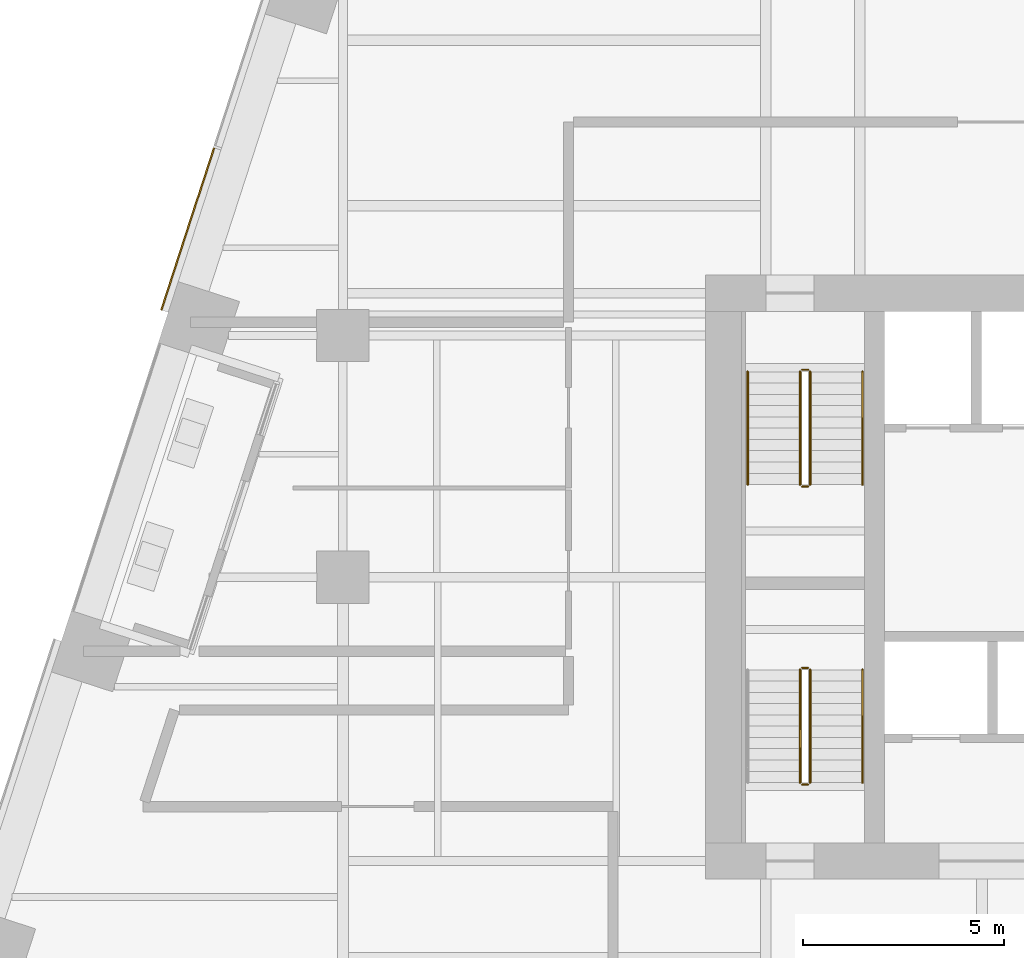
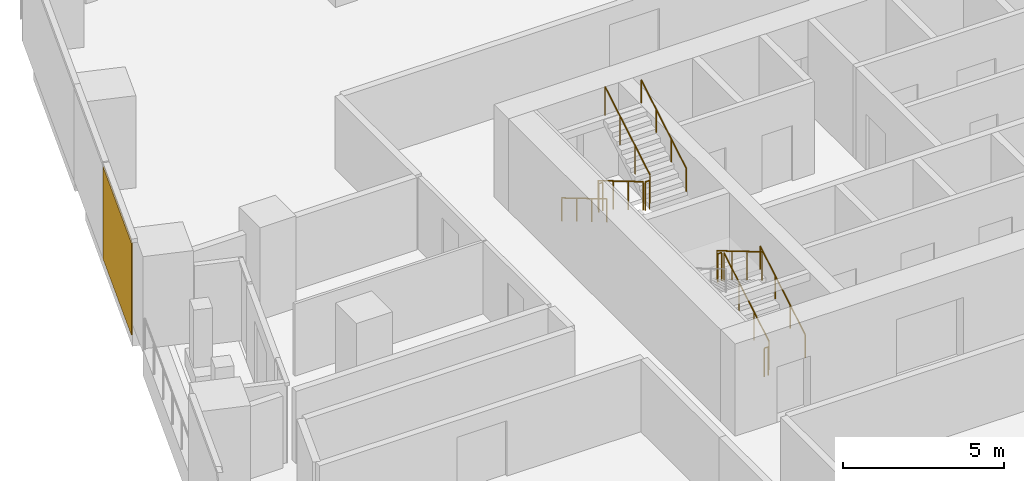
# One storey, part 25 of 28: 11 railings, 1 covering, 1 element without a shape of its own.
"""IFC4 building model written with IfcOpenShell, lengths in metres."""

from ifc_helpers import new_model, si_unit, direction, frame, origin, origin_2d, place, context, subcontext, project, spatial, rectangle, circle, extrude, material, layer, layer_set, type_object, element, aggregate, save


model = new_model("IFC4")

# Units and contexts
model_context = context("Model", 3, precision=1e-05, world=origin(), true_north=direction((0.0, 1.0)))
body_context = subcontext(model_context, "Body", "Model", "MODEL_VIEW")
ifc_project = project(units=[si_unit("LENGTHUNIT", "METRE"), si_unit("AREAUNIT", "SQUARE_METRE"), si_unit("VOLUMEUNIT", "CUBIC_METRE"), si_unit("PLANEANGLEUNIT", "RADIAN"), si_unit("MASSUNIT", "GRAM", prefix="KILO")], contexts=[model_context])

# Site, building, storey
site_placement = place(None, origin())
site = spatial("IfcSite", under=ifc_project, at=site_placement, CompositionType="ELEMENT")
building_placement = place(site_placement, origin())
building = spatial("IfcBuilding", under=site, at=building_placement, Name="Isthmus Gate Tower", CompositionType="ELEMENT")
storey_placement = place(building_placement, frame((0.0, 0.0, 84.300048828125)))
storey = spatial("IfcBuildingStorey", under=building, at=storey_placement, Name="L19", CompositionType="ELEMENT", Elevation=84.300048828125)

# Curtain wall, covering
ifc_material_1 = material(Name="Aluminium, pale champagne anodised", Category="aluminium")
ifc_layer_1 = layer(ifc_material_1, 0.199951171875)
ifc_layer_set_1 = layer_set([ifc_layer_1], Name="CW-1 UNITISED CURTAIN WALL 200 DEEP")
curtain_wall_type = type_object("IfcCurtainWallType", Name="CW-1 UNITISED CURTAIN WALL 200 DEEP", PredefinedType="NOTDEFINED", material=ifc_layer_set_1)
curtain_wall_placement = place(storey_placement, origin())
curtain_wall = element("IfcCurtainWall", 1, at=curtain_wall_placement, inside=storey, type_object=curtain_wall_type, Name="CW-1 NW L19", PredefinedType="NOTDEFINED")
ifc_material_2 = material(Name="Aluminium composite panel, pale champagne anodised", Category="aluminium")
ifc_layer_2 = layer(ifc_material_2, 0.0400390625)
ifc_layer_set_2 = layer_set([ifc_layer_2], Name="CW-1 PALE METAL PANEL 40")
covering_type = type_object("IfcCoveringType", Name="CW-1 PALE METAL PANEL 40", PredefinedType="CLADDING", material=ifc_layer_set_2)
covering_placement = place(storey_placement, frame((-27.8544921875, 16.146484375, 0.0), z_axis=(0.0, 0.0, 1.0), x_axis=(-0.309016994375, -0.951056516295, 0.0)))
covering = element("IfcCovering", 2, at=covering_placement, type_object=covering_type, Name="CW-1 pale metal panel", PredefinedType="CLADDING", context=body_context, shape_type="SweptSolid", body=[
    extrude(rectangle(XDim=4.234619140625, YDim=0.0400390625, at=origin_2d()), origin(), (0.0, 0.0, 1.0), 3.5),
])
aggregate(curtain_wall, [covering])

# Railings
ifc_material_3 = material(Name="Stainless steel balustrade", Category="steel")
railing_type_1 = type_object("IfcRailingType", Name="STAIR GUARD 1100", PredefinedType="GUARDRAIL", material=ifc_material_3)
railing_1_placement = place(storey_placement, frame((-12.64990234375, 12.60009765625, 0.165771484375)))
element("IfcRailing", 3, at=railing_1_placement, inside=storey, type_object=railing_type_1, Name="L19 ST1 stair guard 1", PredefinedType="GUARDRAIL", context=body_context, shape_type="SweptSolid", body=[
    extrude(circle(Radius=0.02392578125, at=origin_2d()), frame((0.0, 0.0, 1.076171875), z_axis=(0.0, -0.860306154799, 0.50977771628), x_axis=(1.0, 0.0, 0.0)), (0.0, 0.0, 1.0), 3.254638671875),
    extrude(circle(Radius=0.02099609375, at=origin_2d()), origin(), (0.0, 0.0, 1.0), 1.052001953125),
    extrude(circle(Radius=0.02099609375, at=origin_2d()), frame((0.0, -0.933349609375, 0.552978515625)), (0.0, 0.0, 1.0), 1.052001953125),
    extrude(circle(Radius=0.02099609375, at=origin_2d()), frame((0.0, -1.86669921875, 1.106201171875)), (0.0, 0.0, 1.0), 1.052001953125),
    extrude(circle(Radius=0.02099609375, at=origin_2d()), frame((0.0, -2.800048828125, 1.6591796875)), (0.0, 0.0, 1.0), 1.052001953125),
])
railing_2_placement = place(storey_placement, frame((-12.60009765625, 9.75, 1.824951171875)))
element("IfcRailing", 4, at=railing_2_placement, inside=storey, type_object=railing_type_1, Name="L19 ST1 stair guard 2", PredefinedType="GUARDRAIL", context=body_context, shape_type="SweptSolid", body=[
    extrude(circle(Radius=0.02392578125, at=origin_2d()), frame((0.0, 0.0, 1.076171875), z_axis=(1.0, 0.0, 0.0), x_axis=(0.0, 1.0, 0.0)), (0.0, 0.0, 1.0), 0.150146484375),
    extrude(circle(Radius=0.02099609375, at=origin_2d()), origin(), (0.0, 0.0, 1.0), 1.052001953125),
    extrude(circle(Radius=0.02099609375, at=origin_2d()), frame((0.150146484375, 0.0, 0.0)), (0.0, 0.0, 1.0), 1.052001953125),
])
railing_3_placement = place(storey_placement, frame((-12.39990234375, 9.800048828125, 1.990966796875)))
element("IfcRailing", 5, at=railing_3_placement, inside=storey, type_object=railing_type_1, Name="L19 ST1 stair guard 3", PredefinedType="GUARDRAIL", context=body_context, shape_type="SweptSolid", body=[
    extrude(circle(Radius=0.02392578125, at=origin_2d()), frame((0.0, 0.0, 1.076171875), z_axis=(0.0, 0.860339051648, 0.50972219513), x_axis=(-1.0, 0.0, 0.0)), (0.0, 0.0, 1.0), 3.254638671875),
    extrude(circle(Radius=0.02099609375, at=origin_2d()), origin(), (0.0, 0.0, 1.0), 1.052001953125),
    extrude(circle(Radius=0.02099609375, at=origin_2d()), frame((0.0, 0.933349609375, 0.552978515625)), (0.0, 0.0, 1.0), 1.052001953125),
    extrude(circle(Radius=0.02099609375, at=origin_2d()), frame((0.0, 1.86669921875, 1.10595703125)), (0.0, 0.0, 1.0), 1.052001953125),
    extrude(circle(Radius=0.02099609375, at=origin_2d()), frame((0.0, 2.800048828125, 1.658935546875)), (0.0, 0.0, 1.0), 1.052001953125),
])
railing_4_placement = place(storey_placement, frame((-12.60009765625, 12.64990234375, 0.0)))
element("IfcRailing", 6, at=railing_4_placement, inside=storey, type_object=railing_type_1, Name="L19 ST1 stair guard 4", PredefinedType="GUARDRAIL", context=body_context, shape_type="SweptSolid", body=[
    extrude(circle(Radius=0.02392578125, at=origin_2d()), frame((0.0, 0.0, 1.076171875), z_axis=(1.0, 0.0, 0.0), x_axis=(0.0, 1.0, 0.0)), (0.0, 0.0, 1.0), 0.150146484375),
    extrude(circle(Radius=0.02099609375, at=origin_2d()), origin(), (0.0, 0.0, 1.0), 1.052001953125),
    extrude(circle(Radius=0.02099609375, at=origin_2d()), frame((0.150146484375, 0.0, 0.0)), (0.0, 0.0, 1.0), 1.052001953125),
])
railing_5_placement = place(storey_placement, frame((-12.39990234375, 2.39990234375, 0.165771484375)))
element("IfcRailing", 7, at=railing_5_placement, inside=storey, type_object=railing_type_1, Name="L19 ST7 stair guard 1", PredefinedType="GUARDRAIL", context=body_context, shape_type="SweptSolid", body=[
    extrude(circle(Radius=0.02392578125, at=origin_2d()), frame((0.0, 0.0, 1.076171875), z_axis=(0.0, 0.860306154799, 0.50977771628), x_axis=(-1.0, 0.0, 0.0)), (0.0, 0.0, 1.0), 3.254638671875),
    extrude(circle(Radius=0.02099609375, at=origin_2d()), origin(), (0.0, 0.0, 1.0), 1.052001953125),
    extrude(circle(Radius=0.02099609375, at=origin_2d()), frame((0.0, 0.933349609375, 0.552978515625)), (0.0, 0.0, 1.0), 1.052001953125),
    extrude(circle(Radius=0.02099609375, at=origin_2d()), frame((0.0, 1.86669921875, 1.106201171875)), (0.0, 0.0, 1.0), 1.052001953125),
    extrude(circle(Radius=0.02099609375, at=origin_2d()), frame((0.0, 2.800048828125, 1.6591796875)), (0.0, 0.0, 1.0), 1.052001953125),
])
railing_6_placement = place(storey_placement, frame((-12.449951171875, 5.25, 1.824951171875)))
element("IfcRailing", 8, at=railing_6_placement, inside=storey, type_object=railing_type_1, Name="L19 ST7 stair guard 2", PredefinedType="GUARDRAIL", context=body_context, shape_type="SweptSolid", body=[
    extrude(circle(Radius=0.02392578125, at=origin_2d()), frame((0.0, 0.0, 1.076171875), z_axis=(-1.0, 0.0, 0.0), x_axis=(0.0, -1.0, 0.0)), (0.0, 0.0, 1.0), 0.150146484375),
    extrude(circle(Radius=0.02099609375, at=origin_2d()), origin(), (0.0, 0.0, 1.0), 1.052001953125),
    extrude(circle(Radius=0.02099609375, at=origin_2d()), frame((-0.150146484375, 0.0, 0.0)), (0.0, 0.0, 1.0), 1.052001953125),
])
railing_7_placement = place(storey_placement, frame((-12.64990234375, 5.199951171875, 1.990966796875)))
element("IfcRailing", 9, at=railing_7_placement, inside=storey, type_object=railing_type_1, Name="L19 ST7 stair guard 3", PredefinedType="GUARDRAIL", context=body_context, shape_type="SweptSolid", body=[
    extrude(circle(Radius=0.02392578125, at=origin_2d()), frame((0.0, 0.0, 1.076171875), z_axis=(0.0, -0.860339051648, 0.50972219513), x_axis=(1.0, 0.0, 0.0)), (0.0, 0.0, 1.0), 3.254638671875),
    extrude(circle(Radius=0.02099609375, at=origin_2d()), origin(), (0.0, 0.0, 1.0), 1.052001953125),
    extrude(circle(Radius=0.02099609375, at=origin_2d()), frame((0.0, -0.933349609375, 0.552978515625)), (0.0, 0.0, 1.0), 1.052001953125),
    extrude(circle(Radius=0.02099609375, at=origin_2d()), frame((0.0, -1.86669921875, 1.10595703125)), (0.0, 0.0, 1.0), 1.052001953125),
    extrude(circle(Radius=0.02099609375, at=origin_2d()), frame((0.0, -2.800048828125, 1.658935546875)), (0.0, 0.0, 1.0), 1.052001953125),
])
railing_8_placement = place(storey_placement, frame((-12.449951171875, 2.35009765625, 0.0)))
element("IfcRailing", 10, at=railing_8_placement, inside=storey, type_object=railing_type_1, Name="L19 ST7 stair guard 4", PredefinedType="GUARDRAIL", context=body_context, shape_type="SweptSolid", body=[
    extrude(circle(Radius=0.02392578125, at=origin_2d()), frame((0.0, 0.0, 1.076171875), z_axis=(-1.0, 0.0, 0.0), x_axis=(0.0, -1.0, 0.0)), (0.0, 0.0, 1.0), 0.150146484375),
    extrude(circle(Radius=0.02099609375, at=origin_2d()), origin(), (0.0, 0.0, 1.0), 1.052001953125),
    extrude(circle(Radius=0.02099609375, at=origin_2d()), frame((-0.150146484375, 0.0, 0.0)), (0.0, 0.0, 1.0), 1.052001953125),
])
ifc_material_4 = material(Name="Stainless steel handrail", Category="steel")
railing_type_2 = type_object("IfcRailingType", Name="STAIR HANDRAIL 900", PredefinedType="HANDRAIL", material=ifc_material_4)
railing_9_placement = place(storey_placement, frame((-13.949951171875, 12.60009765625, 0.165771484375)))
element("IfcRailing", 11, at=railing_9_placement, inside=storey, type_object=railing_type_2, Name="L19 ST1 stair handrail 1", PredefinedType="HANDRAIL", context=body_context, shape_type="SweptSolid", body=[
    extrude(circle(Radius=0.02392578125, at=origin_2d()), frame((0.0, 0.0, 0.8759765625), z_axis=(0.0, -0.860306154799, 0.50977771628), x_axis=(1.0, 0.0, 0.0)), (0.0, 0.0, 1.0), 3.254638671875),
    extrude(circle(Radius=0.02099609375, at=origin_2d()), origin(), (0.0, 0.0, 1.0), 0.851806640625),
    extrude(circle(Radius=0.02099609375, at=origin_2d()), frame((0.0, -0.933349609375, 0.552978515625)), (0.0, 0.0, 1.0), 0.851806640625),
    extrude(circle(Radius=0.02099609375, at=origin_2d()), frame((0.0, -1.86669921875, 1.106201171875)), (0.0, 0.0, 1.0), 0.851806640625),
    extrude(circle(Radius=0.02099609375, at=origin_2d()), frame((0.0, -2.800048828125, 1.6591796875)), (0.0, 0.0, 1.0), 0.851806640625),
])
railing_10_placement = place(storey_placement, frame((-11.10009765625, 9.800048828125, 1.990966796875)))
element("IfcRailing", 12, at=railing_10_placement, inside=storey, type_object=railing_type_2, Name="L19 ST1 stair handrail 2", PredefinedType="HANDRAIL", context=body_context, shape_type="SweptSolid", body=[
    extrude(circle(Radius=0.02392578125, at=origin_2d()), frame((0.0, 0.0, 0.8759765625), z_axis=(0.0, 0.860339051648, 0.50972219513), x_axis=(-1.0, 0.0, 0.0)), (0.0, 0.0, 1.0), 3.254638671875),
    extrude(circle(Radius=0.02099609375, at=origin_2d()), origin(), (0.0, 0.0, 1.0), 0.851806640625),
    extrude(circle(Radius=0.02099609375, at=origin_2d()), frame((0.0, 0.933349609375, 0.552978515625)), (0.0, 0.0, 1.0), 0.851806640625),
    extrude(circle(Radius=0.02099609375, at=origin_2d()), frame((0.0, 1.86669921875, 1.10595703125)), (0.0, 0.0, 1.0), 0.851806640625),
    extrude(circle(Radius=0.02099609375, at=origin_2d()), frame((0.0, 2.800048828125, 1.658935546875)), (0.0, 0.0, 1.0), 0.851806640625),
])
railing_11_placement = place(storey_placement, frame((-11.10009765625, 2.39990234375, 0.165771484375)))
element("IfcRailing", 13, at=railing_11_placement, inside=storey, type_object=railing_type_2, Name="L19 ST7 stair handrail 1", PredefinedType="HANDRAIL", context=body_context, shape_type="SweptSolid", body=[
    extrude(circle(Radius=0.02392578125, at=origin_2d()), frame((0.0, 0.0, 0.8759765625), z_axis=(0.0, 0.860306154799, 0.50977771628), x_axis=(-1.0, 0.0, 0.0)), (0.0, 0.0, 1.0), 3.254638671875),
    extrude(circle(Radius=0.02099609375, at=origin_2d()), origin(), (0.0, 0.0, 1.0), 0.851806640625),
    extrude(circle(Radius=0.02099609375, at=origin_2d()), frame((0.0, 0.933349609375, 0.552978515625)), (0.0, 0.0, 1.0), 0.851806640625),
    extrude(circle(Radius=0.02099609375, at=origin_2d()), frame((0.0, 1.86669921875, 1.106201171875)), (0.0, 0.0, 1.0), 0.851806640625),
    extrude(circle(Radius=0.02099609375, at=origin_2d()), frame((0.0, 2.800048828125, 1.6591796875)), (0.0, 0.0, 1.0), 0.851806640625),
])

save(model, "model.ifc")
